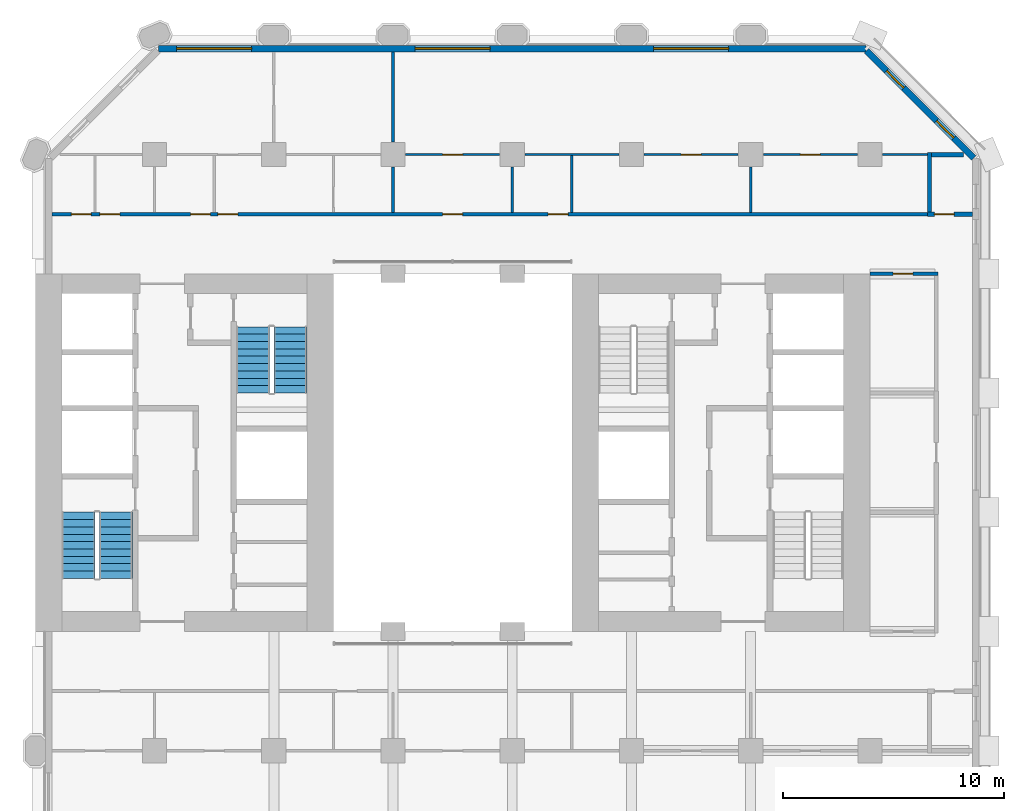
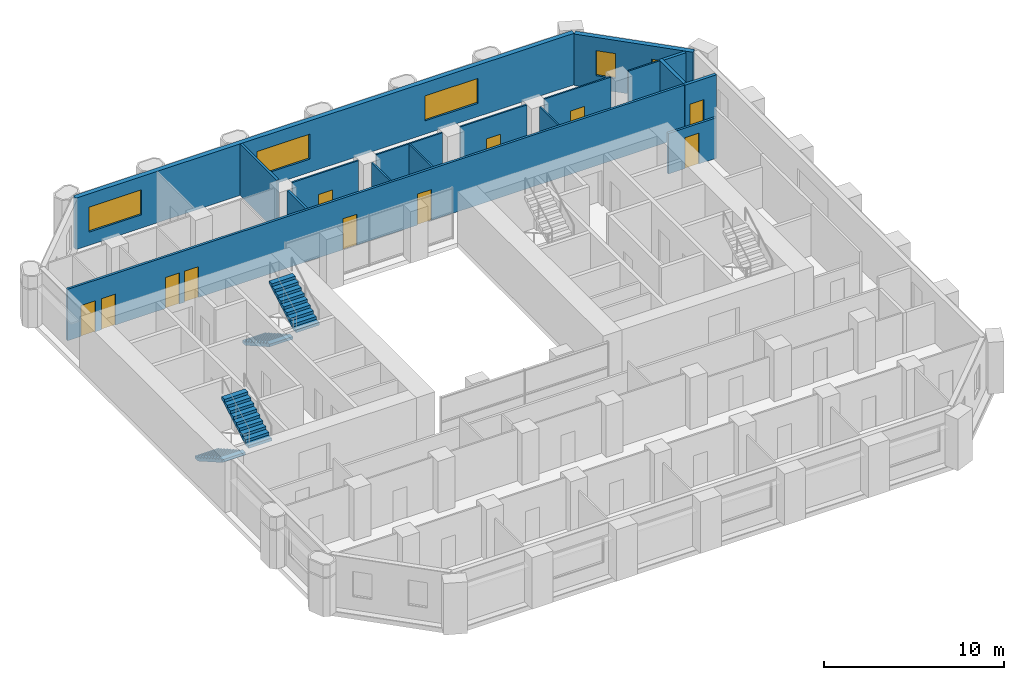
# One storey, part 11 of 14: 17 walls, 11 doors, 5 windows, 4 stair flights, 16 openings, 2 elements without a shape of their own.
"""IFC4 building model written with IfcOpenShell, lengths in metres."""

from ifc_helpers import new_model, si_unit, direction, frame, frame_2d, origin, place, context, subcontext, project, spatial, polyline, rectangle, outline, extrude, material, layer, layer_set, type_object, element, fill, aggregate, save


model = new_model("IFC4")

# Units and contexts
model_context = context("Model", 3, precision=1e-05, world=origin(), true_north=direction((0.0, 1.0)))
body_context = subcontext(model_context, "Body", "Model", "MODEL_VIEW")
ifc_project = project(units=[si_unit("LENGTHUNIT", "METRE"), si_unit("AREAUNIT", "SQUARE_METRE"), si_unit("VOLUMEUNIT", "CUBIC_METRE"), si_unit("PLANEANGLEUNIT", "RADIAN"), si_unit("MASSUNIT", "GRAM", prefix="KILO")], contexts=[model_context])

# Site, building, storey
site_placement = place(None, origin())
site = spatial("IfcSite", under=ifc_project, at=site_placement, CompositionType="ELEMENT")
building_placement = place(site_placement, origin())
building = spatial("IfcBuilding", under=site, at=building_placement, Name="Tabaq Tower and Sports Hall", CompositionType="ELEMENT")
storey_placement = place(building_placement, frame((0.0, 0.0, 52.60009765625)))
storey = spatial("IfcBuildingStorey", under=building, at=storey_placement, Name="L11", CompositionType="ELEMENT", Elevation=52.60009765625)

# Wall, opening, door
ifc_material_1 = material(Name="Blockwork", Category="masonry")
ifc_layer_1 = layer(ifc_material_1, 0.199951171875)
ifc_layer_set_1 = layer_set([ifc_layer_1], Name="Fire compartment wall 200 Blockwork")
wall_type_1 = type_object("IfcWallType", Name="Fire compartment wall 200 Blockwork", PredefinedType="PARTITIONING", material=ifc_layer_set_1)
wall_1_placement = place(storey_placement, frame((47.84912109375, 35.10009765625, 0.0), z_axis=(0.0, 0.0, 1.0), x_axis=(-1.0, 0.0, 0.0)))
wall_1 = element("IfcWall", 1, at=wall_1_placement, inside=storey, type_object=wall_type_1, Name="Compartment wall L11", PredefinedType="PARTITIONING", context=body_context, shape_type="SweptSolid", body=[
    extrude(rectangle(XDim=2.049072265625, YDim=0.199951171875, at=frame_2d((1.0244140625, 0.0))), origin(), (0.0, 0.0, 1.0), 3.5),
])
opening_1_placement = place(wall_1_placement, frame((0.8291015625, 0.0, 0.0)))
opening_1 = element("IfcOpeningElement", 2, at=opening_1_placement, cuts=wall_1, Name="Opening L11-005", PredefinedType="OPENING", context=body_context, shape_type="SweptSolid", body=[
    extrude(rectangle(XDim=0.89990234375, YDim=2.10009765625, at=frame_2d((0.449951171875, 1.050048828125))), frame((0.0, 0.10009765625, 0.0), z_axis=(0.0, -1.0, 0.0), x_axis=(1.0, 0.0, 0.0)), (0.0, 0.0, 1.0), 0.199951171875),
])
ifc_material_2 = material(Name="Steel fire door", Category="steel")
door_type_1 = type_object("IfcDoorType", Name="Plant room door 900 left hand", OperationType="SINGLE_SWING_LEFT", PredefinedType="DOOR", material=ifc_material_2)
door_1_placement = place(opening_1_placement, origin())
door_1 = element("IfcDoor", 3, at=door_1_placement, inside=storey, type_object=door_type_1, Name="Plant room door L11-005", OperationType="SINGLE_SWING_LEFT", OverallHeight=2.10009765625, OverallWidth=0.89990234375, PredefinedType="DOOR", context=body_context, shape_type="SweptSolid", body=[
    extrude(rectangle(XDim=0.89990234375, YDim=2.10009765625, at=frame_2d((0.449951171875, 1.050048828125))), frame((0.0, 0.02490234375, 0.0), z_axis=(0.0, -1.0, 0.0), x_axis=(1.0, 0.0, 0.0)), (0.0, 0.0, 1.0), 0.050048828125),
])
fill(opening_1, door_1)

# Walls
wall_2_placement = place(storey_placement, frame((45.89990234375, 35.199951171875, 0.0), z_axis=(0.0, 0.0, 1.0), x_axis=(0.0, 1.0, 0.0)))
element("IfcWall", 4, at=wall_2_placement, inside=storey, type_object=wall_type_1, Name="Compartment wall L11", PredefinedType="PARTITIONING", context=body_context, shape_type="SweptSolid", body=[
    extrude(rectangle(XDim=2.699951171875, YDim=0.199951171875, at=frame_2d((1.35009765625, 0.0))), origin(), (0.0, 0.0, 1.0), 3.5),
])
wall_3_placement = place(storey_placement, frame((47.43798828125, 37.800048828125, 0.0), z_axis=(0.0, 0.0, 1.0), x_axis=(-1.0, 0.0, 0.0)))
element("IfcWall", 5, at=wall_3_placement, inside=storey, type_object=wall_type_1, Name="Compartment wall L11", PredefinedType="PARTITIONING", context=body_context, shape_type="SweptSolid", body=[
    extrude(rectangle(XDim=1.43798828125, YDim=0.199951171875, at=frame_2d((0.718994140625, 0.0))), origin(), (0.0, 0.0, 1.0), 3.5),
])
ifc_material_3 = material(Name="Gypsum board on steel studs", Category="steel")
ifc_layer_2 = layer(ifc_material_3, 0.10009765625)
ifc_layer_set_2 = layer_set([ifc_layer_2], Name="Partition 100 Gypsum board")
wall_type_2 = type_object("IfcWallType", Name="Partition 100 Gypsum board", PredefinedType="PARTITIONING", material=ifc_layer_set_2)
wall_4_placement = place(storey_placement, frame((27.0, 35.175048828125, 0.0), z_axis=(0.0, 0.0, 1.0), x_axis=(0.0, 1.0, 0.0)))
element("IfcWall", 6, at=wall_4_placement, inside=storey, type_object=wall_type_2, Name="Partition wall L11", PredefinedType="PARTITIONING", context=body_context, shape_type="SweptSolid", body=[
    extrude(rectangle(XDim=2.054931640625, YDim=0.10009765625, at=frame_2d((1.02734375, 0.0))), origin(), (0.0, 0.0, 1.0), 3.5),
])

# Wall, opening, door
wall_5_placement = place(storey_placement, frame((26.429931640625, 37.800048828125, 0.0), z_axis=(0.0, 0.0, 1.0), x_axis=(-1.0, 0.0, 0.0)))
wall_5 = element("IfcWall", 7, at=wall_5_placement, inside=storey, type_object=wall_type_2, Name="Partition wall L11", PredefinedType="PARTITIONING", context=body_context, shape_type="SweptSolid", body=[
    extrude(rectangle(XDim=4.260009765625, YDim=0.10009765625, at=frame_2d((2.1298828125, 0.0))), origin(), (0.0, 0.0, 1.0), 3.5),
])
opening_2_placement = place(wall_5_placement, frame((1.679931640625, 0.0, 0.0)))
opening_2 = element("IfcOpeningElement", 8, at=opening_2_placement, cuts=wall_5, Name="Opening L11-029", PredefinedType="OPENING", context=body_context, shape_type="SweptSolid", body=[
    extrude(rectangle(XDim=0.89990234375, YDim=2.10009765625, at=frame_2d((0.449951171875, 1.050048828125))), frame((0.0, 0.050048828125, 0.0), z_axis=(0.0, -1.0, 0.0), x_axis=(1.0, 0.0, 0.0)), (0.0, 0.0, 1.0), 0.10009765625),
])
ifc_material_4 = material(Name="Timber leaf in steel frame", Category="steel")
door_type_2 = type_object("IfcDoorType", Name="Internal door 900 right hand", OperationType="SINGLE_SWING_RIGHT", PredefinedType="DOOR", material=ifc_material_4)
door_2_placement = place(opening_2_placement, origin())
door_2 = element("IfcDoor", 9, at=door_2_placement, inside=storey, type_object=door_type_2, Name="Internal door L11-029", OperationType="SINGLE_SWING_RIGHT", OverallHeight=2.10009765625, OverallWidth=0.89990234375, PredefinedType="DOOR", context=body_context, shape_type="SweptSolid", body=[
    extrude(rectangle(XDim=0.89990234375, YDim=2.10009765625, at=frame_2d((0.449951171875, 1.050048828125))), frame((0.0, 0.02490234375, 0.0), z_axis=(0.0, -1.0, 0.0), x_axis=(1.0, 0.0, 0.0)), (0.0, 0.0, 1.0), 0.050048828125),
])
fill(opening_2, door_2)

# Walls
wall_6_placement = place(storey_placement, frame((29.699951171875, 35.175048828125, 0.0), z_axis=(0.0, 0.0, 1.0), x_axis=(0.0, 1.0, 0.0)))
element("IfcWall", 10, at=wall_6_placement, inside=storey, type_object=wall_type_2, Name="Partition wall L11", PredefinedType="PARTITIONING", context=body_context, shape_type="SweptSolid", body=[
    extrude(rectangle(XDim=2.574951171875, YDim=0.10009765625, at=frame_2d((1.28759765625, 0.0))), origin(), (0.0, 0.0, 1.0), 3.5),
])
wall_7_placement = place(storey_placement, frame((37.800048828125, 35.175048828125, 0.0), z_axis=(0.0, 0.0, 1.0), x_axis=(0.0, 1.0, 0.0)))
element("IfcWall", 11, at=wall_7_placement, inside=storey, type_object=wall_type_2, Name="Partition wall L11", PredefinedType="PARTITIONING", context=body_context, shape_type="SweptSolid", body=[
    extrude(rectangle(XDim=2.054931640625, YDim=0.10009765625, at=frame_2d((1.02734375, 0.0))), origin(), (0.0, 0.0, 1.0), 3.5),
])

# Wall, opening, door
wall_8_placement = place(storey_placement, frame((37.22998046875, 37.800048828125, 0.0), z_axis=(0.0, 0.0, 1.0), x_axis=(-1.0, 0.0, 0.0)))
wall_8 = element("IfcWall", 12, at=wall_8_placement, inside=storey, type_object=wall_type_2, Name="Partition wall L11", PredefinedType="PARTITIONING", context=body_context, shape_type="SweptSolid", body=[
    extrude(rectangle(XDim=4.260009765625, YDim=0.10009765625, at=frame_2d((2.1298828125, 0.0))), origin(), (0.0, 0.0, 1.0), 3.5),
])
opening_3_placement = place(wall_8_placement, frame((1.679931640625, 0.0, 0.0)))
opening_3 = element("IfcOpeningElement", 13, at=opening_3_placement, cuts=wall_8, Name="Opening L11-013", PredefinedType="OPENING", context=body_context, shape_type="SweptSolid", body=[
    extrude(rectangle(XDim=0.89990234375, YDim=2.10009765625, at=frame_2d((0.449951171875, 1.050048828125))), frame((0.0, 0.050048828125, 0.0), z_axis=(0.0, -1.0, 0.0), x_axis=(1.0, 0.0, 0.0)), (0.0, 0.0, 1.0), 0.10009765625),
])
ifc_material_5 = material(Name="Timber leaf in steel frame", Category="steel")
door_type_3 = type_object("IfcDoorType", Name="Internal door 900 left hand", OperationType="SINGLE_SWING_LEFT", PredefinedType="DOOR", material=ifc_material_5)
door_3_placement = place(opening_3_placement, origin())
door_3 = element("IfcDoor", 14, at=door_3_placement, inside=storey, type_object=door_type_3, Name="Internal door L11-013", OperationType="SINGLE_SWING_LEFT", OverallHeight=2.10009765625, OverallWidth=0.89990234375, PredefinedType="DOOR", context=body_context, shape_type="SweptSolid", body=[
    extrude(rectangle(XDim=0.89990234375, YDim=2.10009765625, at=frame_2d((0.449951171875, 1.050048828125))), frame((0.0, 0.02490234375, 0.0), z_axis=(0.0, -1.0, 0.0), x_axis=(1.0, 0.0, 0.0)), (0.0, 0.0, 1.0), 0.050048828125),
])
fill(opening_3, door_3)

# Walls
wall_9_placement = place(storey_placement, frame((31.830078125, 37.800048828125, 0.0), z_axis=(0.0, 0.0, 1.0), x_axis=(-1.0, 0.0, 0.0)))
element("IfcWall", 15, at=wall_9_placement, inside=storey, type_object=wall_type_2, Name="Partition wall L11", PredefinedType="PARTITIONING", context=body_context, shape_type="SweptSolid", body=[
    extrude(rectangle(XDim=4.260009765625, YDim=0.10009765625, at=frame_2d((2.1298828125, 0.0))), origin(), (0.0, 0.0, 1.0), 3.5),
])
wall_10_placement = place(storey_placement, frame((45.800048828125, 37.800048828125, 0.0), z_axis=(0.0, 0.0, 1.0), x_axis=(-1.0, 0.0, 0.0)))
element("IfcWall", 16, at=wall_10_placement, inside=storey, type_object=wall_type_2, Name="Partition wall L11", PredefinedType="PARTITIONING", context=body_context, shape_type="SweptSolid", body=[
    extrude(rectangle(XDim=2.030029296875, YDim=0.10009765625, at=frame_2d((1.01513671875, 0.0))), origin(), (0.0, 0.0, 1.0), 3.5),
])

# Wall, opening, door
wall_11_placement = place(storey_placement, frame((42.6298828125, 37.800048828125, 0.0), z_axis=(0.0, 0.0, 1.0), x_axis=(-1.0, 0.0, 0.0)))
wall_11 = element("IfcWall", 17, at=wall_11_placement, inside=storey, type_object=wall_type_2, Name="Partition wall L11", PredefinedType="PARTITIONING", context=body_context, shape_type="SweptSolid", body=[
    extrude(rectangle(XDim=4.259765625, YDim=0.10009765625, at=frame_2d((2.1298828125, 0.0))), origin(), (0.0, 0.0, 1.0), 3.5),
])
opening_4_placement = place(wall_11_placement, frame((1.679931640625, 0.0, 0.0)))
opening_4 = element("IfcOpeningElement", 18, at=opening_4_placement, cuts=wall_11, Name="Opening L11-014", PredefinedType="OPENING", context=body_context, shape_type="SweptSolid", body=[
    extrude(rectangle(XDim=0.89990234375, YDim=2.10009765625, at=frame_2d((0.449951171875, 1.050048828125))), frame((0.0, 0.050048828125, 0.0), z_axis=(0.0, -1.0, 0.0), x_axis=(1.0, 0.0, 0.0)), (0.0, 0.0, 1.0), 0.10009765625),
])
door_4_placement = place(opening_4_placement, origin())
door_4 = element("IfcDoor", 19, at=door_4_placement, inside=storey, type_object=door_type_2, Name="Internal door L11-014", OperationType="SINGLE_SWING_RIGHT", OverallHeight=2.10009765625, OverallWidth=0.89990234375, PredefinedType="DOOR", context=body_context, shape_type="SweptSolid", body=[
    extrude(rectangle(XDim=0.89990234375, YDim=2.10009765625, at=frame_2d((0.449951171875, 1.050048828125))), frame((0.0, 0.02490234375, 0.0), z_axis=(0.0, -1.0, 0.0), x_axis=(1.0, 0.0, 0.0)), (0.0, 0.0, 1.0), 0.050048828125),
])
fill(opening_4, door_4)

# Wall, openings, doors
ifc_material_6 = material(Name="Blockwork", Category="masonry")
ifc_layer_3 = layer(ifc_material_6, 0.14990234375)
ifc_layer_set_3 = layer_set([ifc_layer_3], Name="Separating wall 150 Blockwork")
wall_type_3 = type_object("IfcWallType", Name="Separating wall 150 Blockwork", PredefinedType="PARTITIONING", material=ifc_layer_set_3)
wall_12_placement = place(storey_placement, frame((45.800048828125, 35.10009765625, 0.0), z_axis=(0.0, 0.0, 1.0), x_axis=(-1.0, 0.0, 0.0)))
wall_12 = element("IfcWall", 20, at=wall_12_placement, inside=storey, type_object=wall_type_3, Name="Separating wall L11", PredefinedType="PARTITIONING", context=body_context, shape_type="SweptSolid", body=[
    extrude(rectangle(XDim=39.649169921875, YDim=0.14990234375, at=frame_2d((19.82470703125, 0.0))), origin(), (0.0, 0.0, 1.0), 3.5),
])
opening_5_placement = place(wall_12_placement, frame((37.8701171875, 0.0, 0.0)))
opening_5 = element("IfcOpeningElement", 21, at=opening_5_placement, cuts=wall_12, Name="Opening L11-001", PredefinedType="OPENING", context=body_context, shape_type="SweptSolid", body=[
    extrude(rectangle(XDim=0.89990234375, YDim=2.10009765625, at=frame_2d((0.449951171875, 1.050048828125))), frame((0.0, 0.074951171875, 0.0), z_axis=(0.0, -1.0, 0.0), x_axis=(1.0, 0.0, 0.0)), (0.0, 0.0, 1.0), 0.14990234375),
])
opening_6_placement = place(wall_12_placement, frame((36.574951171875, 0.0, 0.0)))
opening_6 = element("IfcOpeningElement", 22, at=opening_6_placement, cuts=wall_12, Name="Opening L11-002", PredefinedType="OPENING", context=body_context, shape_type="SweptSolid", body=[
    extrude(rectangle(XDim=0.89990234375, YDim=2.10009765625, at=frame_2d((0.449951171875, 1.050048828125))), frame((0.0, 0.074951171875, 0.0), z_axis=(0.0, -1.0, 0.0), x_axis=(1.0, 0.0, 0.0)), (0.0, 0.0, 1.0), 0.14990234375),
])
opening_7_placement = place(wall_12_placement, frame((32.469970703125, 0.0, 0.0)))
opening_7 = element("IfcOpeningElement", 23, at=opening_7_placement, cuts=wall_12, Name="Opening L11-003", PredefinedType="OPENING", context=body_context, shape_type="SweptSolid", body=[
    extrude(rectangle(XDim=0.89990234375, YDim=2.10009765625, at=frame_2d((0.449951171875, 1.050048828125))), frame((0.0, 0.074951171875, 0.0), z_axis=(0.0, -1.0, 0.0), x_axis=(1.0, 0.0, 0.0)), (0.0, 0.0, 1.0), 0.14990234375),
])
opening_8_placement = place(wall_12_placement, frame((16.27001953125, 0.0, 0.0)))
opening_8 = element("IfcOpeningElement", 24, at=opening_8_placement, cuts=wall_12, Name="Opening L11-004", PredefinedType="OPENING", context=body_context, shape_type="SweptSolid", body=[
    extrude(rectangle(XDim=0.89990234375, YDim=2.10009765625, at=frame_2d((0.449951171875, 1.050048828125))), frame((0.0, 0.074951171875, 0.0), z_axis=(0.0, -1.0, 0.0), x_axis=(1.0, 0.0, 0.0)), (0.0, 0.0, 1.0), 0.14990234375),
])
opening_9_placement = place(wall_12_placement, frame((21.050048828125, 0.0, 0.0)))
opening_9 = element("IfcOpeningElement", 25, at=opening_9_placement, cuts=wall_12, Name="Opening L11-026", PredefinedType="OPENING", context=body_context, shape_type="SweptSolid", body=[
    extrude(rectangle(XDim=0.89990234375, YDim=2.10009765625, at=frame_2d((0.449951171875, 1.050048828125))), frame((0.0, 0.074951171875, 0.0), z_axis=(0.0, -1.0, 0.0), x_axis=(1.0, 0.0, 0.0)), (0.0, 0.0, 1.0), 0.14990234375),
])
opening_10_placement = place(wall_12_placement, frame((31.22998046875, 0.0, 0.0)))
opening_10 = element("IfcOpeningElement", 26, at=opening_10_placement, cuts=wall_12, Name="Opening L11-031", PredefinedType="OPENING", context=body_context, shape_type="SweptSolid", body=[
    extrude(rectangle(XDim=0.89990234375, YDim=2.10009765625, at=frame_2d((0.449951171875, 1.050048828125))), frame((0.0, 0.074951171875, 0.0), z_axis=(0.0, -1.0, 0.0), x_axis=(1.0, 0.0, 0.0)), (0.0, 0.0, 1.0), 0.14990234375),
])
ifc_material_7 = material(Name="Steel fire door", Category="steel")
door_type_4 = type_object("IfcDoorType", Name="Entrance door 900 right hand", OperationType="SINGLE_SWING_RIGHT", PredefinedType="DOOR", material=ifc_material_7)
door_5_placement = place(opening_5_placement, origin())
door_5 = element("IfcDoor", 27, at=door_5_placement, inside=storey, type_object=door_type_4, Name="Entrance door L11-001", OperationType="SINGLE_SWING_RIGHT", OverallHeight=2.10009765625, OverallWidth=0.89990234375, PredefinedType="DOOR", context=body_context, shape_type="SweptSolid", body=[
    extrude(rectangle(XDim=0.89990234375, YDim=2.10009765625, at=frame_2d((0.449951171875, 1.050048828125))), frame((0.0, 0.02490234375, 0.0), z_axis=(0.0, -1.0, 0.0), x_axis=(1.0, 0.0, 0.0)), (0.0, 0.0, 1.0), 0.050048828125),
])
fill(opening_5, door_5)
door_6_placement = place(opening_6_placement, origin())
door_6 = element("IfcDoor", 28, at=door_6_placement, inside=storey, type_object=door_type_4, Name="Entrance door L11-002", OperationType="SINGLE_SWING_RIGHT", OverallHeight=2.10009765625, OverallWidth=0.89990234375, PredefinedType="DOOR", context=body_context, shape_type="SweptSolid", body=[
    extrude(rectangle(XDim=0.89990234375, YDim=2.10009765625, at=frame_2d((0.449951171875, 1.050048828125))), frame((0.0, 0.02490234375, 0.0), z_axis=(0.0, -1.0, 0.0), x_axis=(1.0, 0.0, 0.0)), (0.0, 0.0, 1.0), 0.050048828125),
])
fill(opening_6, door_6)
door_7_placement = place(opening_7_placement, origin())
door_7 = element("IfcDoor", 29, at=door_7_placement, inside=storey, type_object=door_type_4, Name="Entrance door L11-003", OperationType="SINGLE_SWING_RIGHT", OverallHeight=2.10009765625, OverallWidth=0.89990234375, PredefinedType="DOOR", context=body_context, shape_type="SweptSolid", body=[
    extrude(rectangle(XDim=0.89990234375, YDim=2.10009765625, at=frame_2d((0.449951171875, 1.050048828125))), frame((0.0, 0.02490234375, 0.0), z_axis=(0.0, -1.0, 0.0), x_axis=(1.0, 0.0, 0.0)), (0.0, 0.0, 1.0), 0.050048828125),
])
fill(opening_7, door_7)
door_8_placement = place(opening_8_placement, origin())
door_8 = element("IfcDoor", 30, at=door_8_placement, inside=storey, type_object=door_type_4, Name="Entrance door L11-004", OperationType="SINGLE_SWING_RIGHT", OverallHeight=2.10009765625, OverallWidth=0.89990234375, PredefinedType="DOOR", context=body_context, shape_type="SweptSolid", body=[
    extrude(rectangle(XDim=0.89990234375, YDim=2.10009765625, at=frame_2d((0.449951171875, 1.050048828125))), frame((0.0, 0.02490234375, 0.0), z_axis=(0.0, -1.0, 0.0), x_axis=(1.0, 0.0, 0.0)), (0.0, 0.0, 1.0), 0.050048828125),
])
fill(opening_8, door_8)
door_9_placement = place(opening_9_placement, origin())
door_9 = element("IfcDoor", 31, at=door_9_placement, inside=storey, type_object=door_type_4, Name="Entrance door L11-026", OperationType="SINGLE_SWING_RIGHT", OverallHeight=2.10009765625, OverallWidth=0.89990234375, PredefinedType="DOOR", context=body_context, shape_type="SweptSolid", body=[
    extrude(rectangle(XDim=0.89990234375, YDim=2.10009765625, at=frame_2d((0.449951171875, 1.050048828125))), frame((0.0, 0.02490234375, 0.0), z_axis=(0.0, -1.0, 0.0), x_axis=(1.0, 0.0, 0.0)), (0.0, 0.0, 1.0), 0.050048828125),
])
fill(opening_9, door_9)
door_10_placement = place(opening_10_placement, origin())
door_10 = element("IfcDoor", 32, at=door_10_placement, inside=storey, type_object=door_type_4, Name="Entrance door L11-031", OperationType="SINGLE_SWING_RIGHT", OverallHeight=2.10009765625, OverallWidth=0.89990234375, PredefinedType="DOOR", context=body_context, shape_type="SweptSolid", body=[
    extrude(rectangle(XDim=0.89990234375, YDim=2.10009765625, at=frame_2d((0.449951171875, 1.050048828125))), frame((0.0, 0.02490234375, 0.0), z_axis=(0.0, -1.0, 0.0), x_axis=(1.0, 0.0, 0.0)), (0.0, 0.0, 1.0), 0.050048828125),
])
fill(opening_10, door_10)

# Wall, opening, door
wall_13_placement = place(storey_placement, frame((43.199951171875, 32.39990234375, 0.0), z_axis=(0.0, 0.0, 1.0), x_axis=(1.0, 0.0, 0.0)))
wall_13 = element("IfcWall", 33, at=wall_13_placement, inside=storey, type_object=wall_type_3, Name="Separating wall L11", PredefinedType="PARTITIONING", context=body_context, shape_type="SweptSolid", body=[
    extrude(rectangle(XDim=3.074951171875, YDim=0.14990234375, at=frame_2d((1.53759765625, 0.0))), origin(), (0.0, 0.0, 1.0), 2.75),
])
opening_11_placement = place(wall_13_placement, frame((1.050048828125, 0.0, 0.0)))
opening_11 = element("IfcOpeningElement", 34, at=opening_11_placement, cuts=wall_13, Name="Opening L11-010", PredefinedType="OPENING", context=body_context, shape_type="SweptSolid", body=[
    extrude(rectangle(XDim=0.89990234375, YDim=2.10009765625, at=frame_2d((0.449951171875, 1.050048828125))), frame((0.0, 0.074951171875, 0.0), z_axis=(0.0, -1.0, 0.0), x_axis=(1.0, 0.0, 0.0)), (0.0, 0.0, 1.0), 0.14990234375),
])
door_11_placement = place(opening_11_placement, origin())
door_11 = element("IfcDoor", 35, at=door_11_placement, inside=storey, type_object=door_type_2, Name="Internal door L11-010", OperationType="SINGLE_SWING_RIGHT", OverallHeight=2.10009765625, OverallWidth=0.89990234375, PredefinedType="DOOR", context=body_context, shape_type="SweptSolid", body=[
    extrude(rectangle(XDim=0.89990234375, YDim=2.10009765625, at=frame_2d((0.449951171875, 1.050048828125))), frame((0.0, 0.02490234375, 0.0), z_axis=(0.0, -1.0, 0.0), x_axis=(1.0, 0.0, 0.0)), (0.0, 0.0, 1.0), 0.050048828125),
])
fill(opening_11, door_11)

# Walls
wall_14_placement = place(storey_placement, frame((21.60009765625, 35.175048828125, 0.0), z_axis=(0.0, 0.0, 1.0), x_axis=(0.0, 1.0, 0.0)))
element("IfcWall", 36, at=wall_14_placement, inside=storey, type_object=wall_type_3, Name="Separating wall L11", PredefinedType="PARTITIONING", context=body_context, shape_type="SweptSolid", body=[
    extrude(rectangle(XDim=2.054931640625, YDim=0.14990234375, at=frame_2d((1.02734375, 0.0))), origin(), (0.0, 0.0, 1.0), 3.5),
])
wall_15_placement = place(storey_placement, frame((21.60009765625, 38.3701171875, 0.0), z_axis=(0.0, 0.0, 1.0), x_axis=(0.0, 1.0, 0.0)))
element("IfcWall", 37, at=wall_15_placement, inside=storey, type_object=wall_type_3, Name="Separating wall L11", PredefinedType="PARTITIONING", context=body_context, shape_type="SweptSolid", body=[
    extrude(rectangle(XDim=4.078857421875, YDim=0.14990234375, at=frame_2d((2.03955078125, 0.0))), origin(), (0.0, 0.0, 1.0), 3.5),
])

# Wall, openings, windows
ifc_material_8 = material(Name="White precast concrete C60/75", Category="concrete")
ifc_layer_4 = layer(ifc_material_8, 0.300048828125)
ifc_layer_set_4 = layer_set([ifc_layer_4], Name="White precast concrete C60/75 external wall 300")
wall_type_4 = type_object("IfcWallType", Name="White precast concrete C60/75 external wall 300", PredefinedType="SOLIDWALL", material=ifc_layer_set_4)
wall_16_placement = place(storey_placement, frame((47.901123046875, 37.650390625, 0.0), z_axis=(0.0, 0.0, 1.0), x_axis=(-0.707106781187, 0.707106781187, 0.0)))
wall_16 = element("IfcWall", 38, at=wall_16_placement, inside=storey, type_object=wall_type_4, Name="External Wall L11 NE", PredefinedType="SOLIDWALL", context=body_context, shape_type="SweptSolid", body=[
    extrude(rectangle(XDim=6.85986328125, YDim=0.300048828125, at=frame_2d((3.429931640625, 0.0))), origin(), (0.0, 0.0, 1.0), 3.5),
])
opening_12_placement = place(wall_16_placement, frame((1.27978515625, 0.0, 0.89990234375)))
opening_12 = element("IfcOpeningElement", 39, at=opening_12_placement, cuts=wall_16, Name="Opening W1B", PredefinedType="OPENING", context=body_context, shape_type="SweptSolid", body=[
    extrude(rectangle(XDim=1.10009765625, YDim=1.699951171875, at=frame_2d((0.550048828125, 0.85009765625))), frame((0.0, 0.16015625, 0.0), z_axis=(0.0, -1.0, 0.0), x_axis=(1.0, 0.0, 0.0)), (0.0, 0.0, 1.0), 0.320068359375),
])
opening_13_placement = place(wall_16_placement, frame((4.479736328125, 0.0, 0.89990234375)))
opening_13 = element("IfcOpeningElement", 40, at=opening_13_placement, cuts=wall_16, Name="Opening W1B", PredefinedType="OPENING", context=body_context, shape_type="SweptSolid", body=[
    extrude(rectangle(XDim=1.10009765625, YDim=1.699951171875, at=frame_2d((0.550048828125, 0.85009765625))), frame((0.0, 0.16015625, 0.0), z_axis=(0.0, -1.0, 0.0), x_axis=(1.0, 0.0, 0.0)), (0.0, 0.0, 1.0), 0.320068359375),
])
ifc_material_9 = material(Name="Aluminium framed clear glazing", Category="aluminium")
window_type_1 = type_object("IfcWindowType", Name="Window W1B", PartitioningType="SINGLE_PANEL", PredefinedType="WINDOW", material=ifc_material_9)
window_1_placement = place(opening_12_placement, origin())
window_1 = element("IfcWindow", 41, at=window_1_placement, inside=storey, type_object=window_type_1, Name="Window W1B L11", OverallHeight=1.699951171875, OverallWidth=1.10009765625, PartitioningType="SINGLE_PANEL", PredefinedType="WINDOW", context=body_context, shape_type="SweptSolid", body=[
    extrude(rectangle(XDim=1.10009765625, YDim=1.699951171875, at=frame_2d((0.550048828125, 0.85009765625))), frame((0.0, 0.030029296875, 0.0), z_axis=(0.0, -1.0, 0.0), x_axis=(1.0, 0.0, 0.0)), (0.0, 0.0, 1.0), 0.06005859375),
])
fill(opening_12, window_1)
window_2_placement = place(opening_13_placement, origin())
window_2 = element("IfcWindow", 42, at=window_2_placement, inside=storey, type_object=window_type_1, Name="Window W1B L11", OverallHeight=1.699951171875, OverallWidth=1.10009765625, PartitioningType="SINGLE_PANEL", PredefinedType="WINDOW", context=body_context, shape_type="SweptSolid", body=[
    extrude(rectangle(XDim=1.10009765625, YDim=1.699951171875, at=frame_2d((0.550048828125, 0.85009765625))), frame((0.0, 0.030029296875, 0.0), z_axis=(0.0, -1.0, 0.0), x_axis=(1.0, 0.0, 0.0)), (0.0, 0.0, 1.0), 0.06005859375),
])
fill(opening_13, window_2)

wall_17_placement = place(storey_placement, frame((43.013671875, 42.60009765625, 0.0), z_axis=(0.0, 0.0, 1.0), x_axis=(-1.0, 0.0, 0.0)))
wall_17 = element("IfcWall", 43, at=wall_17_placement, inside=storey, type_object=wall_type_4, Name="External Wall L11 N", PredefinedType="SOLIDWALL", context=body_context, shape_type="SweptSolid", body=[
    extrude(rectangle(XDim=32.02734375, YDim=0.300048828125, at=frame_2d((16.013671875, 0.0))), origin(), (0.0, 0.0, 1.0), 3.5),
])
opening_14_placement = place(wall_17_placement, frame((6.213623046875, 0.0, 0.89990234375)))
opening_14 = element("IfcOpeningElement", 44, at=opening_14_placement, cuts=wall_17, Name="Opening W1A", PredefinedType="OPENING", context=body_context, shape_type="SweptSolid", body=[
    extrude(rectangle(XDim=3.39990234375, YDim=1.699951171875, at=frame_2d((1.699951171875, 0.85009765625))), frame((0.0, 0.16015625, 0.0), z_axis=(0.0, -1.0, 0.0), x_axis=(1.0, 0.0, 0.0)), (0.0, 0.0, 1.0), 0.320068359375),
])
opening_15_placement = place(wall_17_placement, frame((17.013671875, 0.0, 0.89990234375)))
opening_15 = element("IfcOpeningElement", 45, at=opening_15_placement, cuts=wall_17, Name="Opening W1A", PredefinedType="OPENING", context=body_context, shape_type="SweptSolid", body=[
    extrude(rectangle(XDim=3.39990234375, YDim=1.699951171875, at=frame_2d((1.699951171875, 0.85009765625))), frame((0.0, 0.16015625, 0.0), z_axis=(0.0, -1.0, 0.0), x_axis=(1.0, 0.0, 0.0)), (0.0, 0.0, 1.0), 0.320068359375),
])
opening_16_placement = place(wall_17_placement, frame((27.813720703125, 0.0, 0.89990234375)))
opening_16 = element("IfcOpeningElement", 46, at=opening_16_placement, cuts=wall_17, Name="Opening W1A", PredefinedType="OPENING", context=body_context, shape_type="SweptSolid", body=[
    extrude(rectangle(XDim=3.39990234375, YDim=1.699951171875, at=frame_2d((1.699951171875, 0.85009765625))), frame((0.0, 0.16015625, 0.0), z_axis=(0.0, -1.0, 0.0), x_axis=(1.0, 0.0, 0.0)), (0.0, 0.0, 1.0), 0.320068359375),
])
ifc_material_10 = material(Name="Aluminium framed clear glazing", Category="aluminium")
window_type_2 = type_object("IfcWindowType", Name="Window W1A", PartitioningType="SINGLE_PANEL", PredefinedType="WINDOW", material=ifc_material_10)
window_3_placement = place(opening_14_placement, origin())
window_3 = element("IfcWindow", 47, at=window_3_placement, inside=storey, type_object=window_type_2, Name="Window W1A L11", OverallHeight=1.699951171875, OverallWidth=3.39990234375, PartitioningType="SINGLE_PANEL", PredefinedType="WINDOW", context=body_context, shape_type="SweptSolid", body=[
    extrude(rectangle(XDim=3.39990234375, YDim=1.699951171875, at=frame_2d((1.699951171875, 0.85009765625))), frame((0.0, 0.030029296875, 0.0), z_axis=(0.0, -1.0, 0.0), x_axis=(1.0, 0.0, 0.0)), (0.0, 0.0, 1.0), 0.06005859375),
])
fill(opening_14, window_3)
window_4_placement = place(opening_15_placement, origin())
window_4 = element("IfcWindow", 48, at=window_4_placement, inside=storey, type_object=window_type_2, Name="Window W1A L11", OverallHeight=1.699951171875, OverallWidth=3.39990234375, PartitioningType="SINGLE_PANEL", PredefinedType="WINDOW", context=body_context, shape_type="SweptSolid", body=[
    extrude(rectangle(XDim=3.39990234375, YDim=1.699951171875, at=frame_2d((1.699951171875, 0.85009765625))), frame((0.0, 0.030029296875, 0.0), z_axis=(0.0, -1.0, 0.0), x_axis=(1.0, 0.0, 0.0)), (0.0, 0.0, 1.0), 0.06005859375),
])
fill(opening_15, window_4)
window_5_placement = place(opening_16_placement, origin())
window_5 = element("IfcWindow", 49, at=window_5_placement, inside=storey, type_object=window_type_2, Name="Window W1A L11", OverallHeight=1.699951171875, OverallWidth=3.39990234375, PartitioningType="SINGLE_PANEL", PredefinedType="WINDOW", context=body_context, shape_type="SweptSolid", body=[
    extrude(rectangle(XDim=3.39990234375, YDim=1.699951171875, at=frame_2d((1.699951171875, 0.85009765625))), frame((0.0, 0.030029296875, 0.0), z_axis=(0.0, -1.0, 0.0), x_axis=(1.0, 0.0, 0.0)), (0.0, 0.0, 1.0), 0.06005859375),
])
fill(opening_16, window_5)

# Stair, stair flights
ifc_material_11 = material(Name="Concrete C40/50", Category="concrete")
stair_type = type_object("IfcStairType", Name="Exit stair", PredefinedType="HALF_TURN_STAIR", material=ifc_material_11)
stair_1_placement = place(storey_placement, origin())
stair_1 = element("IfcStair", 50, at=stair_1_placement, inside=storey, type_object=stair_type, Name="L11 Exit stair ST1", PredefinedType="HALF_TURN_STAIR")
ifc_material_12 = material(Name="Concrete C40/50", Category="concrete")
stair_flight_type = type_object("IfcStairFlightType", Name="Exit stair flight", PredefinedType="STRAIGHT", material=ifc_material_12)
stair_flight_1_placement = place(storey_placement, frame((7.35009765625, 21.60009765625, 0.0), z_axis=(0.0, 0.0, 1.0), x_axis=(0.0, -1.0, 0.0)))
stair_flight_1 = element("IfcStairFlight", 51, at=stair_flight_1_placement, type_object=stair_flight_type, Name="ST1 flight 1", NumberOfRisers=10, NumberOfTreads=9, PredefinedType="STRAIGHT", RiserHeight=0.19, TreadLength=0.333333333, context=body_context, shape_type="SweptSolid", body=[
    extrude(outline(polyline([(0.0, 0.0), (0.0, 0.18994140625), (0.333251953125, 0.18994140625), (0.333251953125, 0.3798828125), (0.666748046875, 0.3798828125), (0.666748046875, 0.570068359375), (1.0, 0.570068359375), (1.0, 0.760009765625), (1.333251953125, 0.760009765625), (1.333251953125, 0.949951171875), (1.666748046875, 0.949951171875), (1.666748046875, 1.139892578125), (2.0, 1.139892578125), (2.0, 1.330078125), (2.333251953125, 1.330078125), (2.333251953125, 1.52001953125), (2.666748046875, 1.52001953125), (2.666748046875, 1.7099609375), (3.0, 1.7099609375), (3.0, 1.89990234375), (3.0, 1.537353515625), (0.302734375, 0.0), (0.0, 0.0)])), frame((0.0, 0.75, 0.0), z_axis=(0.0, -1.0, 0.0), x_axis=(1.0, 0.0, 0.0)), (0.0, 0.0, 1.0), 1.5),
])
stair_flight_2_placement = place(storey_placement, frame((9.050048828125, 18.60009765625, 1.89990234375), z_axis=(0.0, 0.0, 1.0), x_axis=(0.0, 1.0, 0.0)))
stair_flight_2 = element("IfcStairFlight", 52, at=stair_flight_2_placement, type_object=stair_flight_type, Name="ST1 flight 2", NumberOfRisers=10, NumberOfTreads=9, PredefinedType="STRAIGHT", RiserHeight=0.19, TreadLength=0.333333333, context=body_context, shape_type="SweptSolid", body=[
    extrude(outline(polyline([(0.0, 0.0), (0.0, 0.18994140625), (0.333251953125, 0.18994140625), (0.333251953125, 0.3798828125), (0.666748046875, 0.3798828125), (0.666748046875, 0.570068359375), (1.0, 0.570068359375), (1.0, 0.760009765625), (1.333251953125, 0.760009765625), (1.333251953125, 0.949951171875), (1.666748046875, 0.949951171875), (1.666748046875, 1.139892578125), (2.0, 1.139892578125), (2.0, 1.330078125), (2.333251953125, 1.330078125), (2.333251953125, 1.52001953125), (2.666748046875, 1.52001953125), (2.666748046875, 1.7099609375), (3.0, 1.7099609375), (3.0, 1.89990234375), (3.0, 1.537353515625), (0.302734375, 0.0), (0.0, 0.0)])), frame((0.0, 0.75, 0.0), z_axis=(0.0, -1.0, 0.0), x_axis=(1.0, 0.0, 0.0)), (0.0, 0.0, 1.0), 1.5),
])
aggregate(stair_1, [stair_flight_1, stair_flight_2])

stair_2_placement = place(storey_placement, origin())
stair_2 = element("IfcStair", 53, at=stair_2_placement, inside=storey, type_object=stair_type, Name="L11 Exit stair ST2", PredefinedType="HALF_TURN_STAIR")
stair_flight_3_placement = place(storey_placement, frame((15.25, 30.0, 0.0), z_axis=(0.0, 0.0, 1.0), x_axis=(0.0, -1.0, 0.0)))
stair_flight_3 = element("IfcStairFlight", 54, at=stair_flight_3_placement, type_object=stair_flight_type, Name="ST2 flight 1", NumberOfRisers=10, NumberOfTreads=9, PredefinedType="STRAIGHT", RiserHeight=0.19, TreadLength=0.333333333, context=body_context, shape_type="SweptSolid", body=[
    extrude(outline(polyline([(0.0, 0.0), (0.0, 0.18994140625), (0.333251953125, 0.18994140625), (0.333251953125, 0.3798828125), (0.666748046875, 0.3798828125), (0.666748046875, 0.570068359375), (1.0, 0.570068359375), (1.0, 0.760009765625), (1.333251953125, 0.760009765625), (1.333251953125, 0.949951171875), (1.666748046875, 0.949951171875), (1.666748046875, 1.139892578125), (2.0, 1.139892578125), (2.0, 1.330078125), (2.333251953125, 1.330078125), (2.333251953125, 1.52001953125), (2.666748046875, 1.52001953125), (2.666748046875, 1.7099609375), (3.0, 1.7099609375), (3.0, 1.89990234375), (3.0, 1.537353515625), (0.302734375, 0.0), (0.0, 0.0)])), frame((0.0, 0.75, 0.0), z_axis=(0.0, -1.0, 0.0), x_axis=(1.0, 0.0, 0.0)), (0.0, 0.0, 1.0), 1.5),
])
stair_flight_4_placement = place(storey_placement, frame((16.949951171875, 27.0, 1.89990234375), z_axis=(0.0, 0.0, 1.0), x_axis=(0.0, 1.0, 0.0)))
stair_flight_4 = element("IfcStairFlight", 55, at=stair_flight_4_placement, type_object=stair_flight_type, Name="ST2 flight 2", NumberOfRisers=10, NumberOfTreads=9, PredefinedType="STRAIGHT", RiserHeight=0.19, TreadLength=0.333333333, context=body_context, shape_type="SweptSolid", body=[
    extrude(outline(polyline([(0.0, 0.0), (0.0, 0.18994140625), (0.333251953125, 0.18994140625), (0.333251953125, 0.3798828125), (0.666748046875, 0.3798828125), (0.666748046875, 0.570068359375), (1.0, 0.570068359375), (1.0, 0.760009765625), (1.333251953125, 0.760009765625), (1.333251953125, 0.949951171875), (1.666748046875, 0.949951171875), (1.666748046875, 1.139892578125), (2.0, 1.139892578125), (2.0, 1.330078125), (2.333251953125, 1.330078125), (2.333251953125, 1.52001953125), (2.666748046875, 1.52001953125), (2.666748046875, 1.7099609375), (3.0, 1.7099609375), (3.0, 1.89990234375), (3.0, 1.537353515625), (0.302734375, 0.0), (0.0, 0.0)])), frame((0.0, 0.75, 0.0), z_axis=(0.0, -1.0, 0.0), x_axis=(1.0, 0.0, 0.0)), (0.0, 0.0, 1.0), 1.5),
])
aggregate(stair_2, [stair_flight_3, stair_flight_4])

save(model, "model.ifc")
